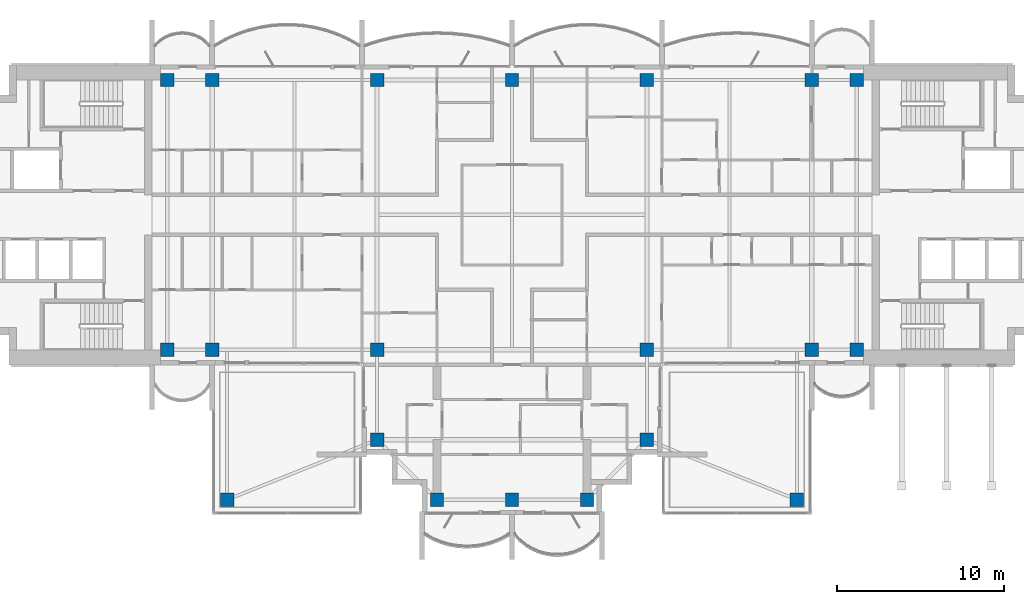
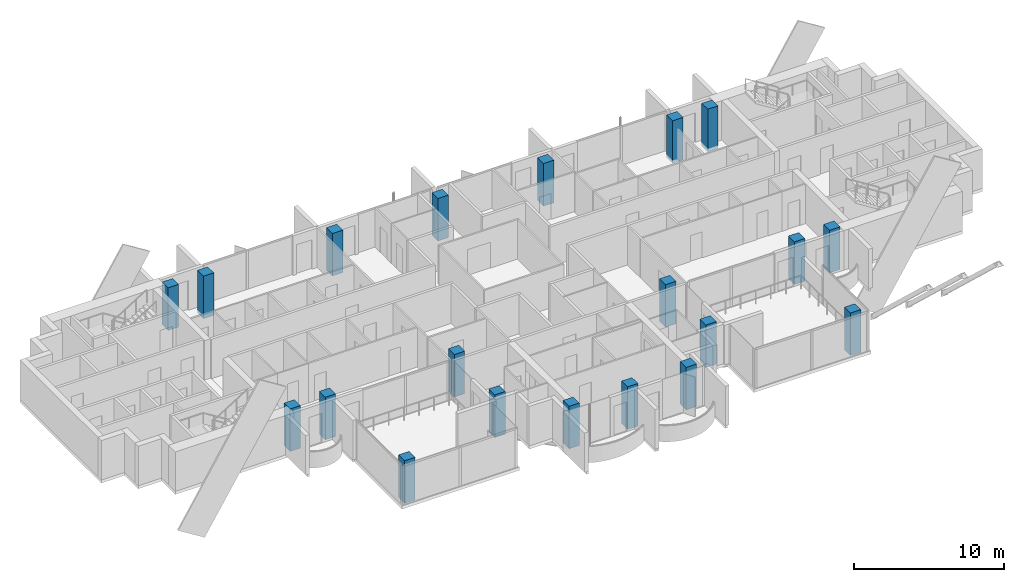
# One storey, part 1 of 18: 20 columns.
"""IFC4 building model written with IfcOpenShell, lengths in metres."""

from ifc_helpers import new_model, si_unit, direction, frame, origin, origin_2d, place, context, subcontext, project, spatial, rectangle, extrude, material, material_profile, profile_set, type_object, element, save


model = new_model("IFC4")

# Units and contexts
model_context = context("Model", 3, precision=1e-05, world=origin(), true_north=direction((0.0, 1.0)))
body_context = subcontext(model_context, "Body", "Model", "MODEL_VIEW")
ifc_project = project(units=[si_unit("LENGTHUNIT", "METRE"), si_unit("AREAUNIT", "SQUARE_METRE"), si_unit("VOLUMEUNIT", "CUBIC_METRE"), si_unit("PLANEANGLEUNIT", "RADIAN"), si_unit("MASSUNIT", "GRAM", prefix="KILO")], contexts=[model_context])

# Site, building, storey
site_placement = place(None, origin())
site = spatial("IfcSite", under=ifc_project, at=site_placement, CompositionType="ELEMENT")
building_placement = place(site_placement, origin())
building = spatial("IfcBuilding", under=site, at=building_placement, Name="Perihelion Cross Residences", CompositionType="ELEMENT")
storey_placement = place(building_placement, frame((0.0, 0.0, 281.5)))
storey = spatial("IfcBuildingStorey", under=building, at=storey_placement, Name="L72", CompositionType="ELEMENT", Elevation=281.5)

# Columns
ifc_material = material(Name="Concrete C50/60", Category="concrete")
ifc_material_profile = material_profile(ifc_material, rectangle(XDim=0.800048828125, YDim=0.800048828125, at=origin_2d()), Name="RC 800x800")
ifc_profile_set = profile_set([ifc_material_profile], Name="Concrete C50/60")
column_type = type_object("IfcColumnType", Name="Reinforced concrete column 800x800 C50/60", PredefinedType="COLUMN", material=ifc_profile_set)
for number, where, z_axis, x_axis, name in (
    (1, (-20.699951171875, -8.10009765625, -0.25), (0.0, 0.0, 1.0), (1.0, 0.0, 0.0), "Column C017 L72 no. 1"),
    (2, (-20.699951171875, 8.10009765625, -0.25), (0.0, 0.0, 1.0), (1.0, 0.0, 0.0), "Column C010 L72 no. 1"),
    (3, (-18.0, -8.10009765625, -0.25), (0.0, 0.0, 1.0), (1.0, 0.0, 0.0), "Column C018 L72 no. 1"),
    (4, (-18.0, 8.10009765625, -0.25), (0.0, 0.0, 1.0), (1.0, 0.0, 0.0), "Column C011 L72 no. 1"),
    (5, (-8.10009765625, -13.5, -0.25), (0.0, 0.0, 1.0), (1.0, 0.0, 0.0), "Column C025 L72 no. 1"),
    (6, (-8.10009765625, -8.10009765625, -0.25), (0.0, 0.0, 1.0), (1.0, 0.0, 0.0), "Column C019 L72 no. 1"),
    (7, (-8.10009765625, 8.10009765625, -0.25), (0.0, 0.0, 1.0), (1.0, 0.0, 0.0), "Column C012 L72 no. 1"),
    (8, (-4.5, -17.10009765625, -0.25), (0.0, 0.0, 1.0), (1.0, 0.0, 0.0), "Column C032 L72 no. 1"),
    (9, (0.0, -17.10009765625, -0.25), (0.0, 0.0, 1.0), (1.0, 0.0, 0.0), "Column C033 L72 no. 1"),
    (10, (0.0, 8.10009765625, -0.25), (0.0, 0.0, 1.0), (1.0, 0.0, 0.0), "Column C013 L72 no. 1"),
    (11, (4.5, -17.10009765625, -0.25), (0.0, 0.0, 1.0), (1.0, 0.0, 0.0), "Column C034 L72 no. 1"),
    (12, (8.10009765625, -13.5, -0.25), (0.0, 0.0, 1.0), (1.0, 0.0, 0.0), "Column C029 L72 no. 1"),
    (13, (8.10009765625, -8.10009765625, -0.25), (0.0, 0.0, 1.0), (1.0, 0.0, 0.0), "Column C020 L72 no. 1"),
    (14, (8.10009765625, 8.10009765625, -0.25), (0.0, 0.0, 1.0), (1.0, 0.0, 0.0), "Column C014 L72 no. 1"),
    (15, (18.0, -8.10009765625, -0.25), (0.0, 0.0, 1.0), (1.0, 0.0, 0.0), "Column C021 L72 no. 1"),
    (16, (18.0, 8.10009765625, -0.25), (0.0, 0.0, 1.0), (1.0, 0.0, 0.0), "Column C015 L72 no. 1"),
    (17, (20.699951171875, -8.10009765625, -0.25), (0.0, 0.0, 1.0), (1.0, 0.0, 0.0), "Column C022 L72 no. 1"),
    (18, (20.699951171875, 8.10009765625, -0.25), (0.0, 0.0, 1.0), (1.0, 0.0, 0.0), "Column C016 L72 no. 1"),
    (19, (-17.10009765625, -17.10009765625, -0.25), (0.0, 0.0, 1.0), (1.0, 0.0, 0.0), "Column C030 L72 no. 1"),
    (20, (17.10009765625, -17.10009765625, -0.25), (0.0, 0.0, 1.0), (1.0, 0.0, 0.0), "Column C036 L72 no. 1"),
):
    element("IfcColumn", number, at=place(storey_placement, frame(where, z_axis=z_axis, x_axis=x_axis)), inside=storey, type_object=column_type, Name=name, PredefinedType="COLUMN", context=body_context, shape_type="SweptSolid", body=[
        extrude(rectangle(XDim=0.800048828125, YDim=0.800048828125, at=origin_2d()), origin(), (0.0, 0.0, 1.0), 3.449951171875),
    ])

save(model, "model.ifc")
